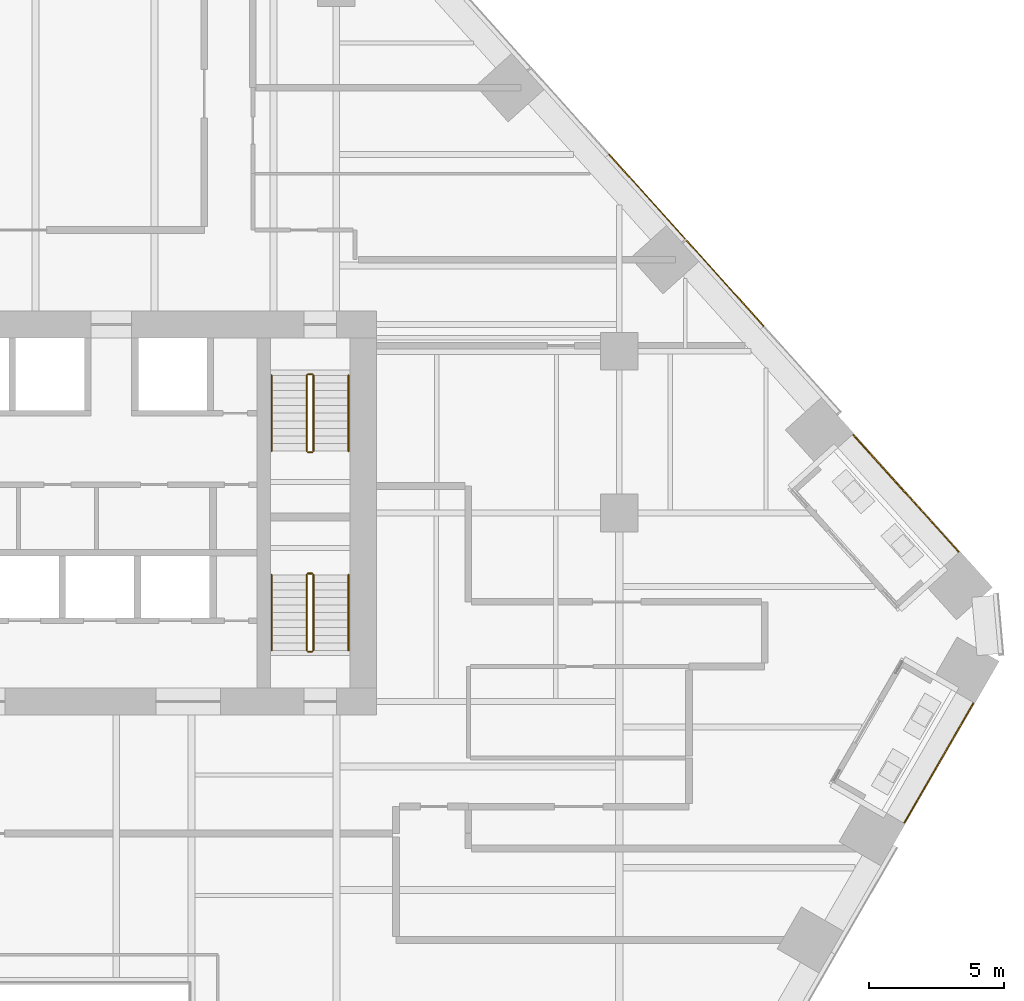
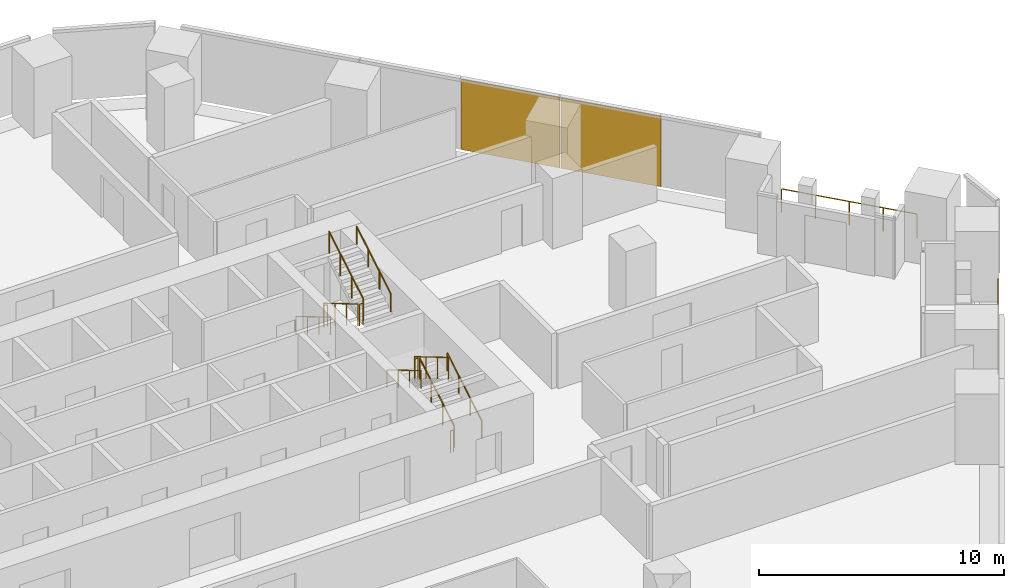
# One storey, part 26 of 28: 14 railings, 2 coverings, 1 element without a shape of its own.
"""IFC4 building model written with IfcOpenShell, lengths in metres."""

from ifc_helpers import new_model, si_unit, direction, frame, origin, origin_2d, place, context, subcontext, project, spatial, rectangle, circle, extrude, material, layer, layer_set, type_object, element, aggregate, save


model = new_model("IFC4")

# Units and contexts
model_context = context("Model", 3, precision=1e-05, world=origin(), true_north=direction((0.0, 1.0)))
body_context = subcontext(model_context, "Body", "Model", "MODEL_VIEW")
ifc_project = project(units=[si_unit("LENGTHUNIT", "METRE"), si_unit("AREAUNIT", "SQUARE_METRE"), si_unit("VOLUMEUNIT", "CUBIC_METRE"), si_unit("PLANEANGLEUNIT", "RADIAN"), si_unit("MASSUNIT", "GRAM", prefix="KILO")], contexts=[model_context])

# Site, building, storey
site_placement = place(None, origin())
site = spatial("IfcSite", under=ifc_project, at=site_placement, CompositionType="ELEMENT")
building_placement = place(site_placement, origin())
building = spatial("IfcBuilding", under=site, at=building_placement, Name="Isthmus Gate Tower", CompositionType="ELEMENT")
storey_placement = place(building_placement, frame((0.0, 0.0, 68.85009765625)))
storey = spatial("IfcBuildingStorey", under=building, at=storey_placement, Name="L15", CompositionType="ELEMENT", Elevation=68.85009765625)

# Curtain wall, coverings
ifc_material_1 = material(Name="Aluminium, pale champagne anodised", Category="aluminium")
ifc_layer_1 = layer(ifc_material_1, 0.199951171875)
ifc_layer_set_1 = layer_set([ifc_layer_1], Name="CW-1 UNITISED CURTAIN WALL 200 DEEP")
curtain_wall_type = type_object("IfcCurtainWallType", Name="CW-1 UNITISED CURTAIN WALL 200 DEEP", PredefinedType="NOTDEFINED", material=ifc_layer_set_1)
curtain_wall_placement = place(storey_placement, origin())
curtain_wall = element("IfcCurtainWall", 1, at=curtain_wall_placement, inside=storey, type_object=curtain_wall_type, Name="CW-1 NE L15", PredefinedType="NOTDEFINED")
ifc_material_2 = material(Name="Aluminium composite panel, pale champagne anodised", Category="aluminium")
ifc_layer_2 = layer(ifc_material_2, 0.0400390625)
ifc_layer_set_2 = layer_set([ifc_layer_2], Name="CW-1 PALE METAL PANEL 40")
covering_type = type_object("IfcCoveringType", Name="CW-1 PALE METAL PANEL 40", PredefinedType="CLADDING", material=ifc_layer_set_2)
covering_1_placement = place(storey_placement, frame((27.930419921875, 16.02734375, 0.0), z_axis=(0.0, 0.0, 1.0), x_axis=(-0.669130606359, 0.743144825477, 0.0)))
covering_1 = element("IfcCovering", 2, at=covering_1_placement, type_object=covering_type, Name="CW-1 pale metal panel", PredefinedType="CLADDING", context=body_context, shape_type="SweptSolid", body=[
    extrude(rectangle(XDim=4.294677734375, YDim=0.0400390625, at=origin_2d()), origin(), (0.0, 0.0, 1.0), 3.5),
])
covering_2_placement = place(storey_placement, frame((25.03662109375, 19.2412109375, 0.0), z_axis=(0.0, 0.0, 1.0), x_axis=(-0.669130606359, 0.743144825477, 0.0)))
covering_2 = element("IfcCovering", 3, at=covering_2_placement, type_object=covering_type, Name="CW-1 pale metal panel", PredefinedType="CLADDING", context=body_context, shape_type="SweptSolid", body=[
    extrude(rectangle(XDim=4.234619140625, YDim=0.0400390625, at=origin_2d()), origin(), (0.0, 0.0, 1.0), 3.5),
])
aggregate(curtain_wall, [covering_1, covering_2])

# Railings
ifc_material_3 = material(Name="Toughened laminated glass with stainless steel posts", Category="steel")
railing_type_1 = type_object("IfcRailingType", Name="GUARD 1200 FRAMELESS GLASS", PredefinedType="GUARDRAIL", material=ifc_material_3)
railing_1_placement = place(storey_placement, frame((34.5927734375, -3.9833984375, 0.0)))
element("IfcRailing", 4, at=railing_1_placement, inside=storey, type_object=railing_type_1, Name="LOGGIA GUARD", PredefinedType="GUARDRAIL", context=body_context, shape_type="SweptSolid", body=[
    extrude(circle(Radius=0.02490234375, at=origin_2d()), frame((0.0, 0.0, 1.1748046875), z_axis=(0.500018644096, 0.866014639343, 0.0), x_axis=(-0.866014639343, 0.500018644096, 0.0)), (0.0, 0.0, 1.0), 5.089599609375),
    extrude(circle(Radius=0.02490234375, at=origin_2d()), origin(), (0.0, 0.0, 1.0), 1.14990234375),
    extrude(circle(Radius=0.02490234375, at=origin_2d()), frame((0.63623046875, 1.10205078125, 0.0)), (0.0, 0.0, 1.0), 1.14990234375),
    extrude(circle(Radius=0.02490234375, at=origin_2d()), frame((1.2724609375, 2.203857421875, 0.0)), (0.0, 0.0, 1.0), 1.14990234375),
    extrude(circle(Radius=0.02490234375, at=origin_2d()), frame((1.90869140625, 3.3056640625, 0.0)), (0.0, 0.0, 1.0), 1.14990234375),
    extrude(circle(Radius=0.02490234375, at=origin_2d()), frame((2.544921875, 4.40771484375, 0.0)), (0.0, 0.0, 1.0), 1.14990234375),
])
railing_2_placement = place(storey_placement, frame((36.58642578125, 6.0703125, 0.0)))
element("IfcRailing", 5, at=railing_2_placement, inside=storey, type_object=railing_type_1, Name="LOGGIA GUARD", PredefinedType="GUARDRAIL", context=body_context, shape_type="SweptSolid", body=[
    extrude(circle(Radius=0.02490234375, at=origin_2d()), frame((0.0, 0.0, 1.1748046875), z_axis=(-0.669134210404, 0.743141580365, 0.0), x_axis=(-0.743141580365, -0.669134210404, 0.0)), (0.0, 0.0, 1.0), 5.809326171875),
    extrude(circle(Radius=0.02490234375, at=origin_2d()), origin(), (0.0, 0.0, 1.0), 1.14990234375),
    extrude(circle(Radius=0.02490234375, at=origin_2d()), frame((-0.9716796875, 1.079345703125, 0.0)), (0.0, 0.0, 1.0), 1.14990234375),
    extrude(circle(Radius=0.02490234375, at=origin_2d()), frame((-1.943603515625, 2.15869140625, 0.0)), (0.0, 0.0, 1.0), 1.14990234375),
    extrude(circle(Radius=0.02490234375, at=origin_2d()), frame((-2.91552734375, 3.23779296875, 0.0)), (0.0, 0.0, 1.0), 1.14990234375),
    extrude(circle(Radius=0.02490234375, at=origin_2d()), frame((-3.88720703125, 4.317138671875, 0.0)), (0.0, 0.0, 1.0), 1.14990234375),
])
ifc_material_4 = material(Name="Stainless steel balustrade", Category="steel")
railing_type_2 = type_object("IfcRailingType", Name="STAIR GUARD 1100", PredefinedType="GUARDRAIL", material=ifc_material_4)
railing_3_placement = place(storey_placement, frame((12.39990234375, 12.60009765625, 0.165771484375)))
element("IfcRailing", 6, at=railing_3_placement, inside=storey, type_object=railing_type_2, Name="L15 ST2 stair guard 1", PredefinedType="GUARDRAIL", context=body_context, shape_type="SweptSolid", body=[
    extrude(circle(Radius=0.02392578125, at=origin_2d()), frame((0.0, 0.0, 1.076171875), z_axis=(0.0, -0.860306154799, 0.50977771628), x_axis=(1.0, 0.0, 0.0)), (0.0, 0.0, 1.0), 3.254638671875),
    extrude(circle(Radius=0.02099609375, at=origin_2d()), origin(), (0.0, 0.0, 1.0), 1.052001953125),
    extrude(circle(Radius=0.02099609375, at=origin_2d()), frame((0.0, -0.933349609375, 0.552978515625)), (0.0, 0.0, 1.0), 1.052001953125),
    extrude(circle(Radius=0.02099609375, at=origin_2d()), frame((0.0, -1.86669921875, 1.106201171875)), (0.0, 0.0, 1.0), 1.052001953125),
    extrude(circle(Radius=0.02099609375, at=origin_2d()), frame((0.0, -2.800048828125, 1.6591796875)), (0.0, 0.0, 1.0), 1.052001953125),
])
railing_4_placement = place(storey_placement, frame((12.449951171875, 9.75, 1.824951171875)))
element("IfcRailing", 7, at=railing_4_placement, inside=storey, type_object=railing_type_2, Name="L15 ST2 stair guard 2", PredefinedType="GUARDRAIL", context=body_context, shape_type="SweptSolid", body=[
    extrude(circle(Radius=0.02392578125, at=origin_2d()), frame((0.0, 0.0, 1.076171875), z_axis=(1.0, 0.0, 0.0), x_axis=(0.0, 1.0, 0.0)), (0.0, 0.0, 1.0), 0.150146484375),
    extrude(circle(Radius=0.02099609375, at=origin_2d()), origin(), (0.0, 0.0, 1.0), 1.052001953125),
    extrude(circle(Radius=0.02099609375, at=origin_2d()), frame((0.150146484375, 0.0, 0.0)), (0.0, 0.0, 1.0), 1.052001953125),
])
railing_5_placement = place(storey_placement, frame((12.64990234375, 9.800048828125, 1.99072265625)))
element("IfcRailing", 8, at=railing_5_placement, inside=storey, type_object=railing_type_2, Name="L15 ST2 stair guard 3", PredefinedType="GUARDRAIL", context=body_context, shape_type="SweptSolid", body=[
    extrude(circle(Radius=0.02392578125, at=origin_2d()), frame((0.0, 0.0, 1.076171875), z_axis=(0.0, 0.860306154799, 0.50977771628), x_axis=(-1.0, 0.0, 0.0)), (0.0, 0.0, 1.0), 3.254638671875),
    extrude(circle(Radius=0.02099609375, at=origin_2d()), origin(), (0.0, 0.0, 1.0), 1.052001953125),
    extrude(circle(Radius=0.02099609375, at=origin_2d()), frame((0.0, 0.933349609375, 0.552978515625)), (0.0, 0.0, 1.0), 1.052001953125),
    extrude(circle(Radius=0.02099609375, at=origin_2d()), frame((0.0, 1.86669921875, 1.106201171875)), (0.0, 0.0, 1.0), 1.052001953125),
    extrude(circle(Radius=0.02099609375, at=origin_2d()), frame((0.0, 2.800048828125, 1.6591796875)), (0.0, 0.0, 1.0), 1.052001953125),
])
railing_6_placement = place(storey_placement, frame((12.449951171875, 12.64990234375, 0.0)))
element("IfcRailing", 9, at=railing_6_placement, inside=storey, type_object=railing_type_2, Name="L15 ST2 stair guard 4", PredefinedType="GUARDRAIL", context=body_context, shape_type="SweptSolid", body=[
    extrude(circle(Radius=0.02392578125, at=origin_2d()), frame((0.0, 0.0, 1.076171875), z_axis=(1.0, 0.0, 0.0), x_axis=(0.0, 1.0, 0.0)), (0.0, 0.0, 1.0), 0.150146484375),
    extrude(circle(Radius=0.02099609375, at=origin_2d()), origin(), (0.0, 0.0, 1.0), 1.052001953125),
    extrude(circle(Radius=0.02099609375, at=origin_2d()), frame((0.150146484375, 0.0, 0.0)), (0.0, 0.0, 1.0), 1.052001953125),
])
railing_7_placement = place(storey_placement, frame((12.64990234375, 2.39990234375, 0.165771484375)))
element("IfcRailing", 10, at=railing_7_placement, inside=storey, type_object=railing_type_2, Name="L15 ST8 stair guard 1", PredefinedType="GUARDRAIL", context=body_context, shape_type="SweptSolid", body=[
    extrude(circle(Radius=0.02392578125, at=origin_2d()), frame((0.0, 0.0, 1.076171875), z_axis=(0.0, 0.860306154799, 0.50977771628), x_axis=(-1.0, 0.0, 0.0)), (0.0, 0.0, 1.0), 3.254638671875),
    extrude(circle(Radius=0.02099609375, at=origin_2d()), origin(), (0.0, 0.0, 1.0), 1.052001953125),
    extrude(circle(Radius=0.02099609375, at=origin_2d()), frame((0.0, 0.933349609375, 0.552978515625)), (0.0, 0.0, 1.0), 1.052001953125),
    extrude(circle(Radius=0.02099609375, at=origin_2d()), frame((0.0, 1.86669921875, 1.106201171875)), (0.0, 0.0, 1.0), 1.052001953125),
    extrude(circle(Radius=0.02099609375, at=origin_2d()), frame((0.0, 2.800048828125, 1.6591796875)), (0.0, 0.0, 1.0), 1.052001953125),
])
railing_8_placement = place(storey_placement, frame((12.60009765625, 5.25, 1.824951171875)))
element("IfcRailing", 11, at=railing_8_placement, inside=storey, type_object=railing_type_2, Name="L15 ST8 stair guard 2", PredefinedType="GUARDRAIL", context=body_context, shape_type="SweptSolid", body=[
    extrude(circle(Radius=0.02392578125, at=origin_2d()), frame((0.0, 0.0, 1.076171875), z_axis=(-1.0, 0.0, 0.0), x_axis=(0.0, -1.0, 0.0)), (0.0, 0.0, 1.0), 0.150146484375),
    extrude(circle(Radius=0.02099609375, at=origin_2d()), origin(), (0.0, 0.0, 1.0), 1.052001953125),
    extrude(circle(Radius=0.02099609375, at=origin_2d()), frame((-0.150146484375, 0.0, 0.0)), (0.0, 0.0, 1.0), 1.052001953125),
])
railing_9_placement = place(storey_placement, frame((12.39990234375, 5.199951171875, 1.99072265625)))
element("IfcRailing", 12, at=railing_9_placement, inside=storey, type_object=railing_type_2, Name="L15 ST8 stair guard 3", PredefinedType="GUARDRAIL", context=body_context, shape_type="SweptSolid", body=[
    extrude(circle(Radius=0.02392578125, at=origin_2d()), frame((0.0, 0.0, 1.076171875), z_axis=(0.0, -0.860306154799, 0.50977771628), x_axis=(1.0, 0.0, 0.0)), (0.0, 0.0, 1.0), 3.254638671875),
    extrude(circle(Radius=0.02099609375, at=origin_2d()), origin(), (0.0, 0.0, 1.0), 1.052001953125),
    extrude(circle(Radius=0.02099609375, at=origin_2d()), frame((0.0, -0.933349609375, 0.552978515625)), (0.0, 0.0, 1.0), 1.052001953125),
    extrude(circle(Radius=0.02099609375, at=origin_2d()), frame((0.0, -1.86669921875, 1.106201171875)), (0.0, 0.0, 1.0), 1.052001953125),
    extrude(circle(Radius=0.02099609375, at=origin_2d()), frame((0.0, -2.800048828125, 1.6591796875)), (0.0, 0.0, 1.0), 1.052001953125),
])
railing_10_placement = place(storey_placement, frame((12.60009765625, 2.35009765625, 0.0)))
element("IfcRailing", 13, at=railing_10_placement, inside=storey, type_object=railing_type_2, Name="L15 ST8 stair guard 4", PredefinedType="GUARDRAIL", context=body_context, shape_type="SweptSolid", body=[
    extrude(circle(Radius=0.02392578125, at=origin_2d()), frame((0.0, 0.0, 1.076171875), z_axis=(-1.0, 0.0, 0.0), x_axis=(0.0, -1.0, 0.0)), (0.0, 0.0, 1.0), 0.150146484375),
    extrude(circle(Radius=0.02099609375, at=origin_2d()), origin(), (0.0, 0.0, 1.0), 1.052001953125),
    extrude(circle(Radius=0.02099609375, at=origin_2d()), frame((-0.150146484375, 0.0, 0.0)), (0.0, 0.0, 1.0), 1.052001953125),
])
ifc_material_5 = material(Name="Stainless steel handrail", Category="steel")
railing_type_3 = type_object("IfcRailingType", Name="STAIR HANDRAIL 900", PredefinedType="HANDRAIL", material=ifc_material_5)
railing_11_placement = place(storey_placement, frame((11.10009765625, 12.60009765625, 0.165771484375)))
element("IfcRailing", 14, at=railing_11_placement, inside=storey, type_object=railing_type_3, Name="L15 ST2 stair handrail 1", PredefinedType="HANDRAIL", context=body_context, shape_type="SweptSolid", body=[
    extrude(circle(Radius=0.02392578125, at=origin_2d()), frame((0.0, 0.0, 0.8759765625), z_axis=(0.0, -0.860306154799, 0.50977771628), x_axis=(1.0, 0.0, 0.0)), (0.0, 0.0, 1.0), 3.254638671875),
    extrude(circle(Radius=0.02099609375, at=origin_2d()), origin(), (0.0, 0.0, 1.0), 0.851806640625),
    extrude(circle(Radius=0.02099609375, at=origin_2d()), frame((0.0, -0.933349609375, 0.552978515625)), (0.0, 0.0, 1.0), 0.851806640625),
    extrude(circle(Radius=0.02099609375, at=origin_2d()), frame((0.0, -1.86669921875, 1.106201171875)), (0.0, 0.0, 1.0), 0.851806640625),
    extrude(circle(Radius=0.02099609375, at=origin_2d()), frame((0.0, -2.800048828125, 1.6591796875)), (0.0, 0.0, 1.0), 0.851806640625),
])
for number, where, name in (
    (15, (13.949951171875, 9.800048828125, 1.99072265625), "L15 ST2 stair handrail 2"),
    (16, (13.949951171875, 2.39990234375, 0.165771484375), "L15 ST8 stair handrail 1"),
):
    element("IfcRailing", number, at=place(storey_placement, frame(where)), inside=storey, type_object=railing_type_3, Name=name, PredefinedType="HANDRAIL", context=body_context, shape_type="SweptSolid", body=[
        extrude(circle(Radius=0.02392578125, at=origin_2d()), frame((0.0, 0.0, 0.8759765625), z_axis=(0.0, 0.860306154799, 0.50977771628), x_axis=(-1.0, 0.0, 0.0)), (0.0, 0.0, 1.0), 3.254638671875),
        extrude(circle(Radius=0.02099609375, at=origin_2d()), origin(), (0.0, 0.0, 1.0), 0.851806640625),
        extrude(circle(Radius=0.02099609375, at=origin_2d()), frame((0.0, 0.933349609375, 0.552978515625)), (0.0, 0.0, 1.0), 0.851806640625),
        extrude(circle(Radius=0.02099609375, at=origin_2d()), frame((0.0, 1.86669921875, 1.106201171875)), (0.0, 0.0, 1.0), 0.851806640625),
        extrude(circle(Radius=0.02099609375, at=origin_2d()), frame((0.0, 2.800048828125, 1.6591796875)), (0.0, 0.0, 1.0), 0.851806640625),
    ])
railing_12_placement = place(storey_placement, frame((11.10009765625, 5.199951171875, 1.99072265625)))
element("IfcRailing", 17, at=railing_12_placement, inside=storey, type_object=railing_type_3, Name="L15 ST8 stair handrail 2", PredefinedType="HANDRAIL", context=body_context, shape_type="SweptSolid", body=[
    extrude(circle(Radius=0.02392578125, at=origin_2d()), frame((0.0, 0.0, 0.8759765625), z_axis=(0.0, -0.860306154799, 0.50977771628), x_axis=(1.0, 0.0, 0.0)), (0.0, 0.0, 1.0), 3.254638671875),
    extrude(circle(Radius=0.02099609375, at=origin_2d()), origin(), (0.0, 0.0, 1.0), 0.851806640625),
    extrude(circle(Radius=0.02099609375, at=origin_2d()), frame((0.0, -0.933349609375, 0.552978515625)), (0.0, 0.0, 1.0), 0.851806640625),
    extrude(circle(Radius=0.02099609375, at=origin_2d()), frame((0.0, -1.86669921875, 1.106201171875)), (0.0, 0.0, 1.0), 0.851806640625),
    extrude(circle(Radius=0.02099609375, at=origin_2d()), frame((0.0, -2.800048828125, 1.6591796875)), (0.0, 0.0, 1.0), 0.851806640625),
])

save(model, "model.ifc")
